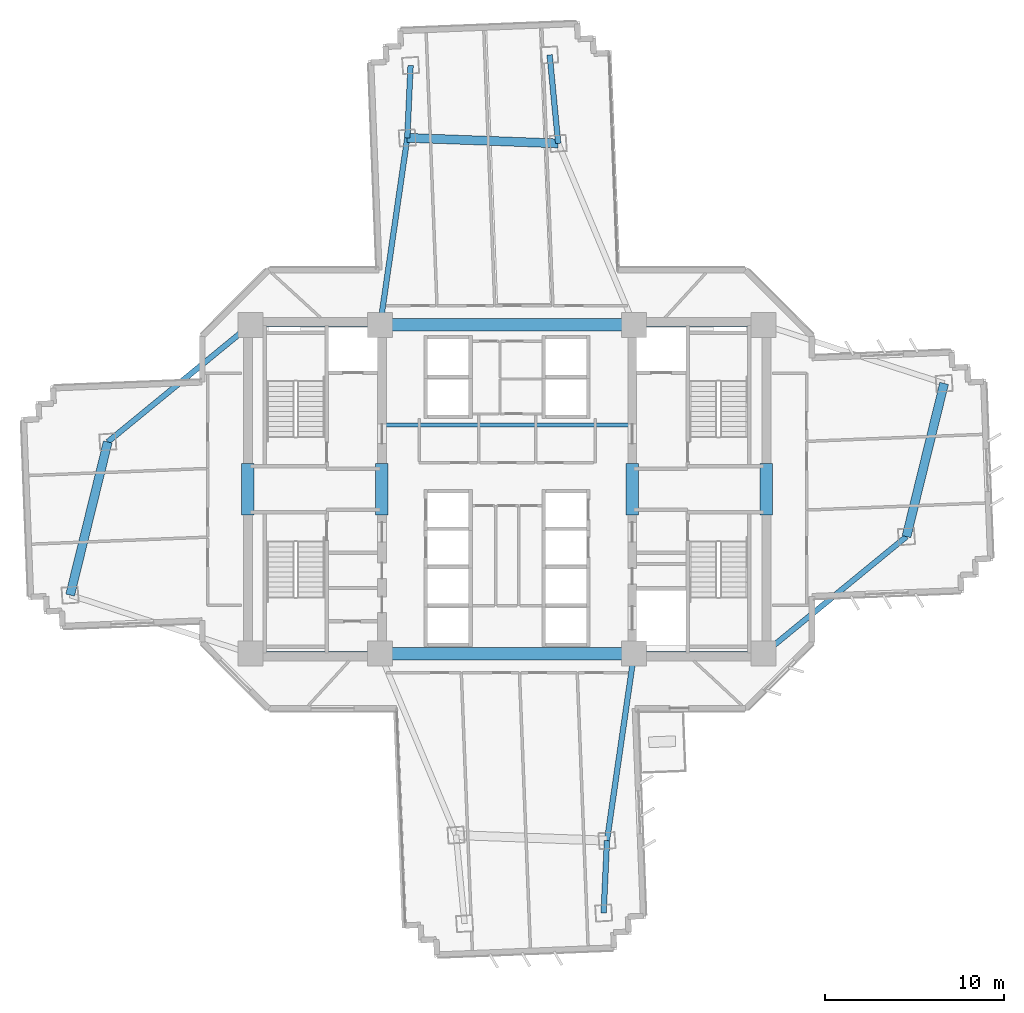
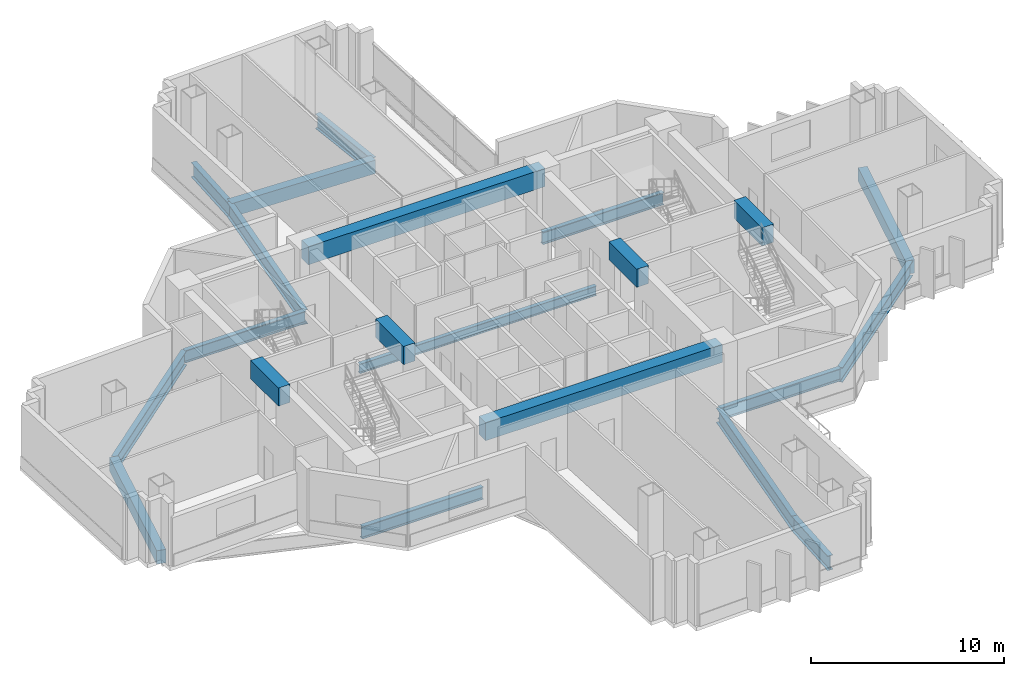
# One storey, part 3 of 16: 21 beams.
"""IFC4 building model written with IfcOpenShell, lengths in metres."""

from ifc_helpers import new_model, si_unit, direction, frame, origin, origin_2d, place, context, subcontext, project, spatial, rectangle, i_section, extrude, source, transform, mapped, material, material_profile, profile_set, type_object, element, save


model = new_model("IFC4")

# Units and contexts
model_context = context("Model", 3, precision=1e-05, world=origin(), true_north=direction((0.0, 1.0)))
body_context = subcontext(model_context, "Body", "Model", "MODEL_VIEW")
ifc_project = project(units=[si_unit("LENGTHUNIT", "METRE"), si_unit("AREAUNIT", "SQUARE_METRE"), si_unit("VOLUMEUNIT", "CUBIC_METRE"), si_unit("PLANEANGLEUNIT", "RADIAN"), si_unit("MASSUNIT", "GRAM", prefix="KILO")], contexts=[model_context])

# Site, building, storey
site_placement = place(None, origin())
site = spatial("IfcSite", under=ifc_project, at=site_placement, CompositionType="ELEMENT")
building_placement = place(site_placement, origin())
building = spatial("IfcBuilding", under=site, at=building_placement, Name="Zahravan Cultural Tower", CompositionType="ELEMENT")
storey_placement = place(building_placement, frame((0.0, 0.0, 62.699951171875)))
storey = spatial("IfcBuildingStorey", under=building, at=storey_placement, Name="L13", CompositionType="ELEMENT", Elevation=62.699951171875)

# Beams
ifc_material_1 = material(Name="Concrete C50/60", Category="concrete")
ifc_material_profile_1 = material_profile(ifc_material_1, rectangle(XDim=0.699951171875, YDim=1.14990234375, at=origin_2d()), Name="RC700X1150")
ifc_profile_set_1 = profile_set([ifc_material_profile_1], Name="Concrete C50/60")
beam_type_1 = type_object("IfcBeamType", Name="BM-LN-RC700X1150", PredefinedType="LINTEL", material=ifc_profile_set_1)
shared_shape_1 = source(origin(), body_context, "Body", "SweptSolid", [
    extrude(rectangle(XDim=0.699951171875, YDim=1.14990234375, at=origin_2d()), origin(), (0.0, 0.0, 1.0), 14.2001953125),
])
for number, where, z_axis, x_axis, name in (
    (1, (28.89990234375, 17.800048828125, 3.375), (1.0, 0.0, 0.0), (0.0, 1.0, 0.0), "L13 Beam LN-L13-S"),
    (2, (28.89990234375, 36.199951171875, 3.375), (1.0, 0.0, 0.0), (0.0, 1.0, 0.0), "L13 Beam LN-L13-N"),
):
    element("IfcBeam", number, at=place(storey_placement, frame(where, z_axis=z_axis, x_axis=x_axis)), inside=storey, type_object=beam_type_1, Name=name, PredefinedType="LINTEL", context=body_context, shape_type="MappedRepresentation", body=[
        mapped(shared_shape_1, transform((0.0, 0.0, 0.0), x_axis=(1.0, 0.0, 0.0), y_axis=(0.0, 1.0, 0.0), z_axis=(0.0, 0.0, 1.0), scale=1.0)),
    ])
shared_shape_2 = source(origin(), body_context, "Body", "SweptSolid", [
    extrude(rectangle(XDim=0.699951171875, YDim=1.14990234375, at=origin_2d()), origin(), (0.0, 0.0, 1.0), 2.89990234375),
])
for number, where, z_axis, x_axis, name in (
    (3, (21.5, 25.550048828125, 3.375), (0.0, 1.0, 0.0), (-1.0, 0.0, 0.0), "L13 Beam LN-L13-PWW"),
    (4, (29.0, 25.550048828125, 3.375), (0.0, 1.0, 0.0), (-1.0, 0.0, 0.0), "L13 Beam LN-L13-PWE"),
    (5, (43.0, 25.550048828125, 3.375), (0.0, 1.0, 0.0), (-1.0, 0.0, 0.0), "L13 Beam LN-L13-PEW"),
    (6, (50.5, 25.550048828125, 3.375), (0.0, 1.0, 0.0), (-1.0, 0.0, 0.0), "L13 Beam LN-L13-PEE"),
):
    element("IfcBeam", number, at=place(storey_placement, frame(where, z_axis=z_axis, x_axis=x_axis)), inside=storey, type_object=beam_type_1, Name=name, PredefinedType="LINTEL", context=body_context, shape_type="MappedRepresentation", body=[
        mapped(shared_shape_2, transform((0.0, 0.0, 0.0), x_axis=(1.0, 0.0, 0.0), y_axis=(0.0, 1.0, 0.0), z_axis=(0.0, 0.0, 1.0), scale=1.0)),
    ])
ifc_material_2 = material(Name="Steel ASTM A992 Grade 50", Category="steel")
ifc_material_profile_2 = material_profile(ifc_material_2, i_section(OverallWidth=0.26611328125, OverallDepth=0.780029296875, WebThickness=0.0166015625, FlangeThickness=0.030029296875, FilletRadius=0.01904296875, at=origin_2d()), Name="W30X148")
ifc_profile_set_2 = profile_set([ifc_material_profile_2], Name="Steel ASTM A992 Grade 50")
beam_type_2 = type_object("IfcBeamType", Name="BM-G-W30X148", PredefinedType="BEAM", material=ifc_profile_set_2)
shared_shape_3 = source(origin(), body_context, "Body", "SweptSolid", [
    extrude(i_section(OverallWidth=0.26611328125, OverallDepth=0.780029296875, WebThickness=0.0166015625, FlangeThickness=0.030029296875, FilletRadius=0.01904296875, at=origin_2d()), origin(), (0.0, 0.0, 1.0), 7.25),
])
for number, where, z_axis, x_axis, name in (
    (7, (21.64990234375, 17.800048828125, -0.639892578125), (1.0, 0.0, 0.0), (0.0, 1.0, 0.0), "L13 Beam BG-L13-01"),
    (8, (21.64990234375, 36.199951171875, -0.639892578125), (1.0, 0.0, 0.0), (0.0, 1.0, 0.0), "L13 Beam BG-L13-02"),
    (9, (43.10009765625, 17.800048828125, -0.639892578125), (1.0, 0.0, 0.0), (0.0, 1.0, 0.0), "L13 Beam BG-L13-04"),
    (10, (43.10009765625, 36.199951171875, -0.639892578125), (1.0, 0.0, 0.0), (0.0, 1.0, 0.0), "L13 Beam BG-L13-05"),
):
    element("IfcBeam", number, at=place(storey_placement, frame(where, z_axis=z_axis, x_axis=x_axis)), inside=storey, type_object=beam_type_2, Name=name, PredefinedType="BEAM", context=body_context, shape_type="MappedRepresentation", body=[
        mapped(shared_shape_3, transform((0.0, 0.0, 0.0), x_axis=(1.0, 0.0, 0.0), y_axis=(0.0, 1.0, 0.0), z_axis=(0.0, 0.0, 1.0), scale=1.0)),
    ])
ifc_material_profile_3 = material_profile(ifc_material_2, i_section(OverallWidth=0.30908203125, OverallDepth=0.931884765625, WebThickness=0.02099609375, FlangeThickness=0.034423828125, FilletRadius=0.02392578125, at=origin_2d()), Name="W36X210")
ifc_profile_set_3 = profile_set([ifc_material_profile_3], Name="Steel ASTM A992 Grade 50")
beam_type_3 = type_object("IfcBeamType", Name="BM-G-W36X210", PredefinedType="BEAM", material=ifc_profile_set_3)
shared_shape_4 = source(origin(), body_context, "Body", "SweptSolid", [
    extrude(i_section(OverallWidth=0.30908203125, OverallDepth=0.931884765625, WebThickness=0.02099609375, FlangeThickness=0.034423828125, FilletRadius=0.02392578125, at=origin_2d()), origin(), (0.0, 0.0, 1.0), 10.5673828125),
])
for number, where, z_axis, x_axis, name in (
    (11, (43.10009765625, 17.800048828125, -0.716064453125), (-0.143377913539, -0.989668011966, 0.0), (0.989668011966, -0.143377913539, 0.0), "L13 Beam BG-L13-09"),
    (12, (28.89990234375, 36.199951171875, -0.716064453125), (0.143377913539, 0.989668011966, 0.0), (-0.989668011966, 0.143377913539, 0.0), "L13 Beam BG-L13-13"),
):
    element("IfcBeam", number, at=place(storey_placement, frame(where, z_axis=z_axis, x_axis=x_axis)), inside=storey, type_object=beam_type_3, Name=name, PredefinedType="BEAM", context=body_context, shape_type="MappedRepresentation", body=[
        mapped(shared_shape_4, transform((0.0, 0.0, 0.0), x_axis=(1.0, 0.0, 0.0), y_axis=(0.0, 1.0, 0.0), z_axis=(0.0, 0.0, 1.0), scale=1.0)),
    ])
shared_shape_5 = source(origin(), body_context, "Body", "SweptSolid", [
    extrude(i_section(OverallWidth=0.30908203125, OverallDepth=0.931884765625, WebThickness=0.02099609375, FlangeThickness=0.034423828125, FilletRadius=0.02392578125, at=origin_2d()), origin(), (0.0, 0.0, 1.0), 10.33203125),
])
for number, where, z_axis, x_axis, name in (
    (13, (50.35009765625, 17.800048828125, -0.716064453125), (0.773231409473, 0.634123952713, 0.0), (-0.634123952713, 0.773231409473, 0.0), "L13 Beam BG-L13-10"),
    (14, (21.64990234375, 36.199951171875, -0.716064453125), (-0.773231409473, -0.634123952713, 0.0), (0.634123952713, -0.773231409473, 0.0), "L13 Beam BG-L13-14"),
):
    element("IfcBeam", number, at=place(storey_placement, frame(where, z_axis=z_axis, x_axis=x_axis)), inside=storey, type_object=beam_type_3, Name=name, PredefinedType="BEAM", context=body_context, shape_type="MappedRepresentation", body=[
        mapped(shared_shape_5, transform((0.0, 0.0, 0.0), x_axis=(1.0, 0.0, 0.0), y_axis=(0.0, 1.0, 0.0), z_axis=(0.0, 0.0, 1.0), scale=1.0)),
    ])
shared_shape_6 = source(origin(), body_context, "Body", "SweptSolid", [
    extrude(i_section(OverallWidth=0.30908203125, OverallDepth=0.931884765625, WebThickness=0.02099609375, FlangeThickness=0.034423828125, FilletRadius=0.02392578125, at=origin_2d()), origin(), (0.0, 0.0, 1.0), 4.973876953125),
])
beam_1_placement = place(storey_placement, frame((38.857421875, 46.346435546875, -0.716064453125), z_axis=(-0.096154779131, 0.995366394073, 0.0), x_axis=(-0.995366394073, -0.096154779131, 0.0)))
element("IfcBeam", 15, at=beam_1_placement, inside=storey, type_object=beam_type_3, Name="L13 Beam BG-L13-15", PredefinedType="BEAM", context=body_context, shape_type="MappedRepresentation", body=[
    mapped(shared_shape_6, transform((0.0, 0.0, 0.0), x_axis=(1.0, 0.0, 0.0), y_axis=(0.0, 1.0, 0.0), z_axis=(0.0, 0.0, 1.0), scale=1.0)),
])
shared_shape_7 = source(origin(), body_context, "Body", "SweptSolid", [
    extrude(i_section(OverallWidth=0.30908203125, OverallDepth=0.931884765625, WebThickness=0.02099609375, FlangeThickness=0.034423828125, FilletRadius=0.02392578125, at=origin_2d()), origin(), (0.0, 0.0, 1.0), 4.0537109375),
])
for number, where, z_axis, x_axis, name in (
    (16, (30.4150390625, 46.658203125, -0.716064453125), (0.045770994677, 0.998951958828, 0.0), (-0.998951958828, 0.045770994677, 0.0), "L13 Beam BG-L13-16"),
    (17, (41.5849609375, 7.341796875, -0.716064453125), (-0.045770994677, -0.998951958828, 0.0), (0.998951958828, -0.045770994677, 0.0), "L13 Beam BG-L13-18"),
):
    element("IfcBeam", number, at=place(storey_placement, frame(where, z_axis=z_axis, x_axis=x_axis)), inside=storey, type_object=beam_type_3, Name=name, PredefinedType="BEAM", context=body_context, shape_type="MappedRepresentation", body=[
        mapped(shared_shape_7, transform((0.0, 0.0, 0.0), x_axis=(1.0, 0.0, 0.0), y_axis=(0.0, 1.0, 0.0), z_axis=(0.0, 0.0, 1.0), scale=1.0)),
    ])
ifc_material_profile_4 = material_profile(ifc_material_1, rectangle(XDim=0.5, YDim=0.85009765625, at=origin_2d()), Name="RC500X850")
ifc_profile_set_4 = profile_set([ifc_material_profile_4], Name="Concrete C50/60")
beam_type_4 = type_object("IfcBeamType", Name="BM-SP-RC500X850", PredefinedType="SPANDREL", material=ifc_profile_set_4)
shared_shape_8 = source(origin(), body_context, "Body", "SweptSolid", [
    extrude(rectangle(XDim=0.5, YDim=0.85009765625, at=origin_2d()), origin(), (0.0, 0.0, 1.0), 8.4482421875),
])
beam_2_placement = place(storey_placement, frame((38.857421875, 46.346435546875, -0.675048828125), z_axis=(-0.999318826256, 0.036903705643, 0.0), x_axis=(-0.036903705643, -0.999318826256, 0.0)))
element("IfcBeam", 18, at=beam_2_placement, inside=storey, type_object=beam_type_4, Name="L13 Beam SP-L13-21", PredefinedType="SPANDREL", context=body_context, shape_type="MappedRepresentation", body=[
    mapped(shared_shape_8, transform((0.0, 0.0, 0.0), x_axis=(1.0, 0.0, 0.0), y_axis=(0.0, 1.0, 0.0), z_axis=(0.0, 0.0, 1.0), scale=1.0)),
])
shared_shape_9 = source(origin(), body_context, "Body", "SweptSolid", [
    extrude(rectangle(XDim=0.5, YDim=0.85009765625, at=origin_2d()), origin(), (0.0, 0.0, 1.0), 8.8232421875),
])
for number, where, z_axis, x_axis, name in (
    (19, (58.339111328125, 24.351806640625, -0.675048828125), (0.238848860516, 0.971056755206, 0.0), (-0.971056755206, 0.238848860516, 0.0), "L13 Beam SP-L13-20"),
    (20, (13.660888671875, 29.648193359375, -0.675048828125), (-0.238848860516, -0.971056755206, 0.0), (0.971056755206, -0.238848860516, 0.0), "L13 Beam SP-L13-22"),
):
    element("IfcBeam", number, at=place(storey_placement, frame(where, z_axis=z_axis, x_axis=x_axis)), inside=storey, type_object=beam_type_4, Name=name, PredefinedType="SPANDREL", context=body_context, shape_type="MappedRepresentation", body=[
        mapped(shared_shape_9, transform((0.0, 0.0, 0.0), x_axis=(1.0, 0.0, 0.0), y_axis=(0.0, 1.0, 0.0), z_axis=(0.0, 0.0, 1.0), scale=1.0)),
    ])
ifc_material_profile_5 = material_profile(ifc_material_2, i_section(OverallWidth=0.22802734375, OverallDepth=0.60302734375, WebThickness=0.010498046875, FlangeThickness=0.014892578125, FilletRadius=0.014892578125, at=origin_2d()), Name="W24X68")
ifc_profile_set_5 = profile_set([ifc_material_profile_5], Name="Steel ASTM A992 Grade 50")
beam_type_5 = type_object("IfcBeamType", Name="BM-J-W24X68", PredefinedType="JOIST", material=ifc_profile_set_5)
shared_shape_10 = source(origin(), body_context, "Body", "SweptSolid", [
    extrude(i_section(OverallWidth=0.22802734375, OverallDepth=0.60302734375, WebThickness=0.010498046875, FlangeThickness=0.014892578125, FilletRadius=0.014892578125, at=origin_2d()), origin(), (0.0, 0.0, 1.0), 14.2001953125),
])
beam_3_placement = place(storey_placement, frame((28.89990234375, 30.60009765625, -0.551513671875), z_axis=(1.0, 0.0, 0.0), x_axis=(0.0, 1.0, 0.0)))
element("IfcBeam", 21, at=beam_3_placement, inside=storey, type_object=beam_type_5, Name="L13 Beam BJ-L13-23", PredefinedType="JOIST", context=body_context, shape_type="MappedRepresentation", body=[
    mapped(shared_shape_10, transform((0.0, 0.0, 0.0), x_axis=(1.0, 0.0, 0.0), y_axis=(0.0, 1.0, 0.0), z_axis=(0.0, 0.0, 1.0), scale=1.0)),
])

save(model, "model.ifc")
